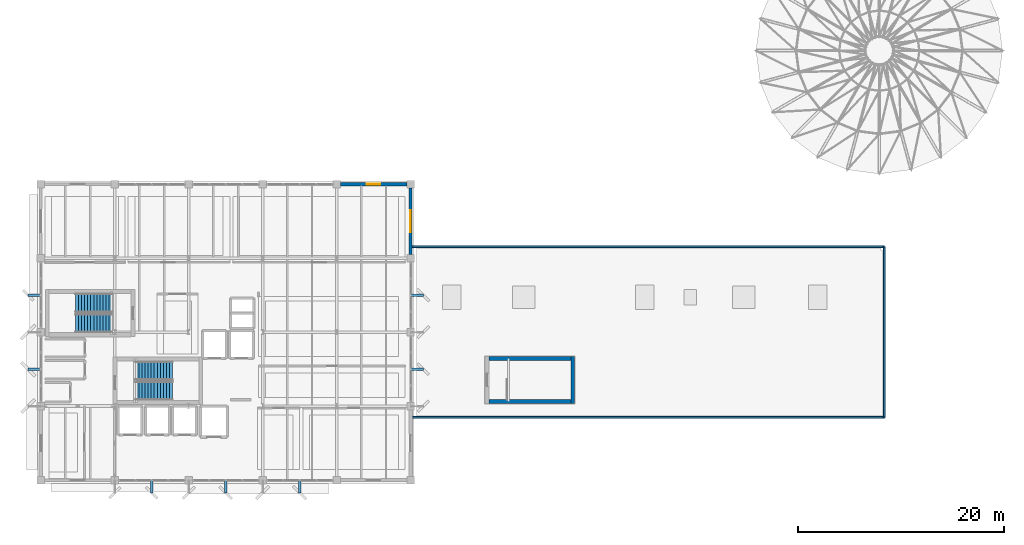
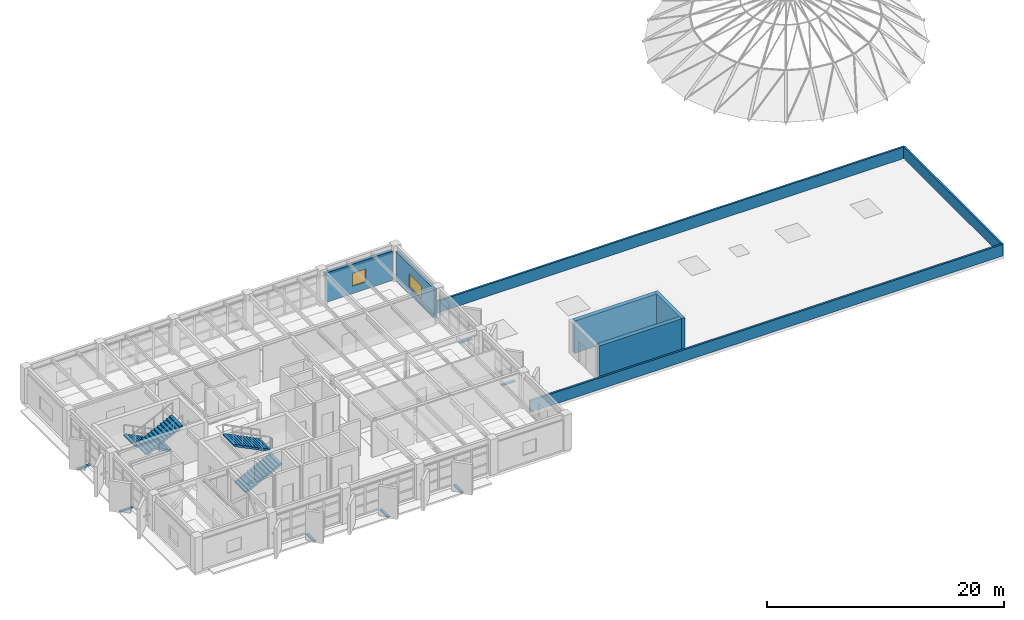
# One storey, part 24 of 32: 8 walls, 7 discrete accessories, 4 stair flights, 2 windows, 2 openings, 2 elements without a shape of their own.
"""IFC4 building model written with IfcOpenShell, lengths in metres."""

from ifc_helpers import new_model, si_unit, direction, frame, frame_2d, origin, origin_2d, place, context, subcontext, project, spatial, polyline, rectangle, outline, extrude, material, layer, layer_set, type_object, element, fill, aggregate, save


model = new_model("IFC4")

# Units and contexts
model_context = context("Model", 3, precision=1e-05, world=origin(), true_north=direction((0.0, 1.0)))
body_context = subcontext(model_context, "Body", "Model", "MODEL_VIEW")
ifc_project = project(units=[si_unit("LENGTHUNIT", "METRE"), si_unit("AREAUNIT", "SQUARE_METRE"), si_unit("VOLUMEUNIT", "CUBIC_METRE"), si_unit("PLANEANGLEUNIT", "RADIAN"), si_unit("MASSUNIT", "GRAM", prefix="KILO")], contexts=[model_context])

# Site, building, storey
site_placement = place(None, origin())
site = spatial("IfcSite", under=ifc_project, at=site_placement, CompositionType="ELEMENT")
building_placement = place(site_placement, origin())
building = spatial("IfcBuilding", under=site, at=building_placement, Name="Kandorven Conservatory and Botanical Research Centre", CompositionType="ELEMENT")
storey_placement = place(building_placement, frame((0.0, 0.0, 17.10009765625)))
storey = spatial("IfcBuildingStorey", under=building, at=storey_placement, Name="L04", CompositionType="ELEMENT", Elevation=17.10009765625)

# Walls
ifc_material_1 = material(Name="Concrete C40/50 (M50)", Category="concrete")
ifc_layer_1 = layer(ifc_material_1, 0.39990234375)
ifc_layer_set_1 = layer_set([ifc_layer_1], Name="Concrete C40/50 (M50)")
wall_type_1 = type_object("IfcWallType", Name="Wall_CW-RC-1", PredefinedType="SHEAR", material=ifc_layer_set_1)
for number, where, z_axis, x_axis, name in (
    (1, (49.60009765625, 13.64501953125, 0.0), (0.0, 0.0, 1.0), (1.0, 0.0, 0.0), "Core stair shear wall CW-RC-1 ST-V3A L04 side A"),
    (2, (49.60009765625, 17.844970703125, 0.0), (0.0, 0.0, 1.0), (1.0, 0.0, 0.0), "Core stair shear wall CW-RC-1 ST-V3A L04 side B"),
):
    element("IfcWall", number, at=place(storey_placement, frame(where, z_axis=z_axis, x_axis=x_axis)), inside=storey, type_object=wall_type_1, Name=name, PredefinedType="SHEAR", context=body_context, shape_type="SweptSolid", body=[
        extrude(rectangle(XDim=7.97998046875, YDim=0.39990234375, at=frame_2d((3.989990234375, 0.0))), origin(), (0.0, 0.0, 1.0), 3.33984375),
    ])
ifc_material_2 = material(Name="Concrete C40/50 (M50)", Category="concrete")
ifc_layer_2 = layer(ifc_material_2, 0.35009765625)
ifc_layer_set_2 = layer_set([ifc_layer_2], Name="Concrete C40/50 (M50)")
wall_type_2 = type_object("IfcWallType", Name="Wall_CW-RC-2", PredefinedType="SHEAR", material=ifc_layer_set_2)
wall_1_placement = place(storey_placement, frame((57.7548828125, 13.449951171875, 0.0), z_axis=(0.0, 0.0, 1.0), x_axis=(0.0, 1.0, 0.0)))
element("IfcWall", 3, at=wall_1_placement, inside=storey, type_object=wall_type_2, Name="Core stair shear wall CW-RC-2 ST-V3A L04 far", PredefinedType="SHEAR", context=body_context, shape_type="SweptSolid", body=[
    extrude(rectangle(XDim=4.590087890625, YDim=0.35009765625, at=frame_2d((2.294921875, 0.0))), origin(), (0.0, 0.0, 1.0), 3.33984375),
])

# Wall, opening, window
ifc_material_3 = material(Name="Concrete C32/40 (M40)", Category="concrete")
ifc_layer_3 = layer(ifc_material_3, 0.300048828125)
ifc_layer_set_3 = layer_set([ifc_layer_3], Name="Concrete C32/40 (M40)")
wall_type_3 = type_object("IfcWallType", Name="Wall_EW-04", PredefinedType="STANDARD", material=ifc_layer_set_3)
wall_2_placement = place(storey_placement, frame((35.175048828125, 34.800048828125, 0.0), z_axis=(0.0, 0.0, 1.0), x_axis=(1.0, 0.0, 0.0)))
wall_2 = element("IfcWall", 4, at=wall_2_placement, inside=storey, type_object=wall_type_3, Name="Tower concrete facade wall EW-04 N L04", PredefinedType="STANDARD", context=body_context, shape_type="SweptSolid", body=[
    extrude(rectangle(XDim=6.449951171875, YDim=0.300048828125, at=frame_2d((3.22509765625, 0.0))), origin(), (0.0, 0.0, 1.0), 3.039794921875),
])
opening_1_placement = place(wall_2_placement, frame((2.574951171875, 0.0, 0.75)))
opening_1 = element("IfcOpeningElement", 5, at=opening_1_placement, cuts=wall_2, Name="Opening W-32", PredefinedType="OPENING", context=body_context, shape_type="SweptSolid", body=[
    extrude(rectangle(XDim=1.300048828125, YDim=1.35009765625, at=frame_2d((0.64990234375, 0.675048828125))), frame((0.0, 0.159912109375, 0.0), z_axis=(0.0, -1.0, 0.0), x_axis=(1.0, 0.0, 0.0)), (0.0, 0.0, 1.0), 0.320068359375),
])
ifc_material_4 = material(Name="Double-glazed solar-control low-E glass", Category="glass")
window_type_1 = type_object("IfcWindowType", Name="Win_W-32", PartitioningType="DOUBLE_PANEL_VERTICAL", PredefinedType="WINDOW", material=ifc_material_4)
window_1_placement = place(opening_1_placement, origin())
window_1 = element("IfcWindow", 6, at=window_1_placement, inside=storey, type_object=window_type_1, Name="Tower recessed solar window W-32", OverallHeight=1.35009765625, OverallWidth=1.300048828125, PartitioningType="SINGLE_PANEL", PredefinedType="WINDOW", context=body_context, shape_type="SweptSolid", body=[
    extrude(rectangle(XDim=1.300048828125, YDim=1.35009765625, at=frame_2d((0.64990234375, 0.675048828125))), frame((0.0, 0.030029296875, 0.0), z_axis=(0.0, -1.0, 0.0), x_axis=(1.0, 0.0, 0.0)), (0.0, 0.0, 1.0), 0.06005859375),
])
fill(opening_1, window_1)

ifc_material_5 = material(Name="Concrete C32/40 (M40)", Category="concrete")
ifc_layer_4 = layer(ifc_material_5, 0.280029296875)
ifc_layer_set_4 = layer_set([ifc_layer_4], Name="Concrete C32/40 (M40)")
wall_type_4 = type_object("IfcWallType", Name="Wall_EW-05", PredefinedType="STANDARD", material=ifc_layer_set_4)
wall_3_placement = place(storey_placement, frame((42.0, 27.97509765625, 0.0), z_axis=(0.0, 0.0, 1.0), x_axis=(0.0, 1.0, 0.0)))
wall_3 = element("IfcWall", 7, at=wall_3_placement, inside=storey, type_object=wall_type_4, Name="Tower concrete facade wall EW-05 E L04", PredefinedType="STANDARD", context=body_context, shape_type="SweptSolid", body=[
    extrude(rectangle(XDim=6.449951171875, YDim=0.280029296875, at=frame_2d((3.22509765625, 0.0))), origin(), (0.0, 0.0, 1.0), 3.039794921875),
])
opening_2_placement = place(wall_3_placement, frame((2.14990234375, 0.0, 0.75)))
opening_2 = element("IfcOpeningElement", 8, at=opening_2_placement, cuts=wall_3, Name="Opening W-36", PredefinedType="OPENING", context=body_context, shape_type="SweptSolid", body=[
    extrude(rectangle(XDim=2.14990234375, YDim=1.35009765625, at=frame_2d((1.074951171875, 0.675048828125))), frame((0.0, 0.14990234375, 0.0), z_axis=(0.0, -1.0, 0.0), x_axis=(1.0, 0.0, 0.0)), (0.0, 0.0, 1.0), 0.300048828125),
])
ifc_material_6 = material(Name="Double-glazed solar-control low-E glass", Category="glass")
window_type_2 = type_object("IfcWindowType", Name="Win_W-36", PartitioningType="DOUBLE_PANEL_VERTICAL", PredefinedType="WINDOW", material=ifc_material_6)
window_2_placement = place(opening_2_placement, origin())
window_2 = element("IfcWindow", 9, at=window_2_placement, inside=storey, type_object=window_type_2, Name="Tower recessed solar window W-36", OverallHeight=1.35009765625, OverallWidth=2.14990234375, PartitioningType="SINGLE_PANEL", PredefinedType="WINDOW", context=body_context, shape_type="SweptSolid", body=[
    extrude(rectangle(XDim=2.14990234375, YDim=1.35009765625, at=frame_2d((1.074951171875, 0.675048828125))), frame((0.0, 0.030029296875, 0.0), z_axis=(0.0, -1.0, 0.0), x_axis=(1.0, 0.0, 0.0)), (0.0, 0.0, 1.0), 0.06005859375),
])
fill(opening_2, window_2)

# Walls
ifc_material_7 = material(Name="Concrete C32/40 (M40)", Category="concrete")
ifc_layer_5 = layer(ifc_material_7, 0.18994140625)
ifc_layer_set_5 = layer_set([ifc_layer_5], Name="Concrete C32/40 (M40)")
wall_type_5 = type_object("IfcWallType", Name="Wall_PW-03", PredefinedType="PARAPET", material=ifc_layer_set_5)
wall_4_placement = place(storey_placement, frame((42.0, 12.10009765625, 0.0), z_axis=(0.0, 0.0, 1.0), x_axis=(1.0, 0.0, 0.0)))
element("IfcWall", 10, at=wall_4_placement, inside=storey, type_object=wall_type_5, Name="Visitor wing roof parapet wall PW-03 S", PredefinedType="PARAPET", context=body_context, shape_type="SweptSolid", body=[
    extrude(rectangle(XDim=46.10009765625, YDim=0.18994140625, at=frame_2d((23.050048828125, 0.0))), origin(), (0.0, 0.0, 1.0), 1.199951171875),
])
wall_5_placement = place(storey_placement, frame((88.10009765625, 12.10009765625, 0.0), z_axis=(0.0, 0.0, 1.0), x_axis=(0.0, 1.0, 0.0)))
element("IfcWall", 11, at=wall_5_placement, inside=storey, type_object=wall_type_5, Name="Visitor wing roof parapet wall PW-03 E", PredefinedType="PARAPET", context=body_context, shape_type="SweptSolid", body=[
    extrude(rectangle(XDim=16.599853515625, YDim=0.18994140625, at=frame_2d((8.2998046875, 0.0))), origin(), (0.0, 0.0, 1.0), 1.199951171875),
])
wall_6_placement = place(storey_placement, frame((88.10009765625, 28.699951171875, 0.0), z_axis=(0.0, 0.0, 1.0), x_axis=(-1.0, 0.0, 0.0)))
element("IfcWall", 12, at=wall_6_placement, inside=storey, type_object=wall_type_5, Name="Visitor wing roof parapet wall PW-03 N", PredefinedType="PARAPET", context=body_context, shape_type="SweptSolid", body=[
    extrude(rectangle(XDim=46.10009765625, YDim=0.18994140625, at=frame_2d((23.050048828125, 0.0))), origin(), (0.0, 0.0, 1.0), 1.199951171875),
])

# Stair, stair flights
ifc_material_8 = material(Name="Concrete C32/40 (M40)", Category="concrete")
stair_type = type_object("IfcStairType", Name="Stair_1820", PredefinedType="HALF_TURN_STAIR", material=ifc_material_8)
stair_1_placement = place(storey_placement, origin())
stair_1 = element("IfcStair", 13, at=stair_1_placement, inside=storey, type_object=stair_type, Name="L04 Tower Fire Stair ST-T1", PredefinedType="HALF_TURN_STAIR")
ifc_material_9 = material(Name="Concrete C32/40 (M40)", Category="concrete")
ifc_layer_6 = layer(ifc_material_9, 0.14990234375)
ifc_layer_set_6 = layer_set([ifc_layer_6], Name="Concrete C32/40 (M40)")
stair_flight_type = type_object("IfcStairFlightType", Name="Flight_1820", PredefinedType="STRAIGHT", material=ifc_layer_set_6)
stair_flight_1_placement = place(storey_placement, frame((15.239990234375, 14.68994140625, 0.0), z_axis=(0.0, 0.0, 1.0), x_axis=(1.0, 0.0, 0.0)))
stair_flight_1 = element("IfcStairFlight", 14, at=stair_flight_1_placement, type_object=stair_flight_type, Name="ST-T1 flight 1", NumberOfRisers=13, NumberOfTreads=12, PredefinedType="STRAIGHT", RiserHeight=0.15, TreadLength=0.3, context=body_context, shape_type="SweptSolid", body=[
    extrude(outline(polyline([(0.0, 0.0), (0.0, 0.14990234375), (0.300048828125, 0.14990234375), (0.300048828125, 0.300048828125), (0.60009765625, 0.300048828125), (0.60009765625, 0.449951171875), (0.89990234375, 0.449951171875), (0.89990234375, 0.60009765625), (1.199951171875, 0.60009765625), (1.199951171875, 0.75), (1.5, 0.75), (1.5, 0.89990234375), (1.800048828125, 0.89990234375), (1.800048828125, 1.050048828125), (2.10009765625, 1.050048828125), (2.10009765625, 1.199951171875), (2.39990234375, 1.199951171875), (2.39990234375, 1.35009765625), (2.699951171875, 1.35009765625), (2.699951171875, 1.5), (3.0, 1.5), (3.0, 1.64990234375), (3.300048828125, 1.64990234375), (3.300048828125, 1.800048828125), (3.60009765625, 1.800048828125), (3.60009765625, 1.949951171875), (3.60009765625, 1.63232421875), (0.335205078125, 0.0), (0.0, 0.0)])), frame((0.0, 0.91015625, 0.0), z_axis=(0.0, -1.0, 0.0), x_axis=(1.0, 0.0, 0.0)), (0.0, 0.0, 1.0), 1.820068359375),
])
stair_flight_2_placement = place(storey_placement, frame((18.839599609375, 16.659912109375, 1.949951171875), z_axis=(0.0, 0.0, 1.0), x_axis=(-1.0, 0.0, 0.0)))
stair_flight_2 = element("IfcStairFlight", 15, at=stair_flight_2_placement, type_object=stair_flight_type, Name="ST-T1 flight 2", NumberOfRisers=13, NumberOfTreads=12, PredefinedType="STRAIGHT", RiserHeight=0.15, TreadLength=0.3, context=body_context, shape_type="SweptSolid", body=[
    extrude(outline(polyline([(0.0, 0.0), (0.0, 0.14990234375), (0.300048828125, 0.14990234375), (0.300048828125, 0.300048828125), (0.60009765625, 0.300048828125), (0.60009765625, 0.449951171875), (0.89990234375, 0.449951171875), (0.89990234375, 0.60009765625), (1.199951171875, 0.60009765625), (1.199951171875, 0.75), (1.5, 0.75), (1.5, 0.89990234375), (1.800048828125, 0.89990234375), (1.800048828125, 1.050048828125), (2.10009765625, 1.050048828125), (2.10009765625, 1.199951171875), (2.39990234375, 1.199951171875), (2.39990234375, 1.35009765625), (2.699951171875, 1.35009765625), (2.699951171875, 1.5), (3.0, 1.5), (3.0, 1.64990234375), (3.300048828125, 1.64990234375), (3.300048828125, 1.800048828125), (3.60009765625, 1.800048828125), (3.60009765625, 1.949951171875), (3.60009765625, 1.63232421875), (0.335205078125, 0.0), (0.0, 0.0)])), frame((0.0, 0.91015625, 0.0), z_axis=(0.0, -1.0, 0.0), x_axis=(1.0, 0.0, 0.0)), (0.0, 0.0, 1.0), 1.820068359375),
])
aggregate(stair_1, [stair_flight_1, stair_flight_2])

stair_2_placement = place(storey_placement, origin())
stair_2 = element("IfcStair", 16, at=stair_2_placement, inside=storey, type_object=stair_type, Name="L04 Tower Fire Stair ST-T2", PredefinedType="HALF_TURN_STAIR")
stair_flight_3_placement = place(storey_placement, frame((12.9599609375, 23.239990234375, 0.0), z_axis=(0.0, 0.0, 1.0), x_axis=(-1.0, 0.0, 0.0)))
stair_flight_3 = element("IfcStairFlight", 17, at=stair_flight_3_placement, type_object=stair_flight_type, Name="ST-T2 flight 1", NumberOfRisers=13, NumberOfTreads=12, PredefinedType="STRAIGHT", RiserHeight=0.15, TreadLength=0.3, context=body_context, shape_type="SweptSolid", body=[
    extrude(outline(polyline([(0.0, 0.0), (0.0, 0.14990234375), (0.300048828125, 0.14990234375), (0.300048828125, 0.300048828125), (0.60009765625, 0.300048828125), (0.60009765625, 0.449951171875), (0.89990234375, 0.449951171875), (0.89990234375, 0.60009765625), (1.199951171875, 0.60009765625), (1.199951171875, 0.75), (1.5, 0.75), (1.5, 0.89990234375), (1.800048828125, 0.89990234375), (1.800048828125, 1.050048828125), (2.10009765625, 1.050048828125), (2.10009765625, 1.199951171875), (2.39990234375, 1.199951171875), (2.39990234375, 1.35009765625), (2.699951171875, 1.35009765625), (2.699951171875, 1.5), (3.0, 1.5), (3.0, 1.64990234375), (3.300048828125, 1.64990234375), (3.300048828125, 1.800048828125), (3.60009765625, 1.800048828125), (3.60009765625, 1.949951171875), (3.60009765625, 1.63232421875), (0.335205078125, 0.0), (0.0, 0.0)])), frame((0.0, 0.91015625, 0.0), z_axis=(0.0, -1.0, 0.0), x_axis=(1.0, 0.0, 0.0)), (0.0, 0.0, 1.0), 1.820068359375),
])
stair_flight_4_placement = place(storey_placement, frame((9.360595703125, 21.27001953125, 1.949951171875), z_axis=(0.0, 0.0, 1.0), x_axis=(1.0, 0.0, 0.0)))
stair_flight_4 = element("IfcStairFlight", 18, at=stair_flight_4_placement, type_object=stair_flight_type, Name="ST-T2 flight 2", NumberOfRisers=13, NumberOfTreads=12, PredefinedType="STRAIGHT", RiserHeight=0.15, TreadLength=0.3, context=body_context, shape_type="SweptSolid", body=[
    extrude(outline(polyline([(0.0, 0.0), (0.0, 0.14990234375), (0.300048828125, 0.14990234375), (0.300048828125, 0.300048828125), (0.60009765625, 0.300048828125), (0.60009765625, 0.449951171875), (0.89990234375, 0.449951171875), (0.89990234375, 0.60009765625), (1.199951171875, 0.60009765625), (1.199951171875, 0.75), (1.5, 0.75), (1.5, 0.89990234375), (1.800048828125, 0.89990234375), (1.800048828125, 1.050048828125), (2.10009765625, 1.050048828125), (2.10009765625, 1.199951171875), (2.39990234375, 1.199951171875), (2.39990234375, 1.35009765625), (2.699951171875, 1.35009765625), (2.699951171875, 1.5), (3.0, 1.5), (3.0, 1.64990234375), (3.300048828125, 1.64990234375), (3.300048828125, 1.800048828125), (3.60009765625, 1.800048828125), (3.60009765625, 1.949951171875), (3.60009765625, 1.63232421875), (0.335205078125, 0.0), (0.0, 0.0)])), frame((0.0, 0.91015625, 0.0), z_axis=(0.0, -1.0, 0.0), x_axis=(1.0, 0.0, 0.0)), (0.0, 0.0, 1.0), 1.820068359375),
])
aggregate(stair_2, [stair_flight_3, stair_flight_4])

# Discrete accessories
ifc_material_10 = material(Name="Steel S355 (IS 2062 E350)", Category="steel")
discrete_accessory_type = type_object("IfcDiscreteAccessoryType", Name="JaliBracket", PredefinedType="BRACKET", material=ifc_material_10)
for number, where, z_axis, x_axis, name in (
    (19, (16.800048828125, 5.389892578125, -0.1298828125), (0.0, 0.0, 1.0), (1.0, 0.0, 0.0), "Stainless steel fin support bracket BRK-01 #32"),
    (20, (24.0, 5.389892578125, -0.1298828125), (0.0, 0.0, 1.0), (1.0, 0.0, 0.0), "Stainless steel fin support bracket BRK-01 #34"),
    (21, (31.199951171875, 5.389892578125, -0.1298828125), (0.0, 0.0, 1.0), (1.0, 0.0, 0.0), "Stainless steel fin support bracket BRK-01 #36"),
):
    element("IfcDiscreteAccessory", number, at=place(storey_placement, frame(where, z_axis=z_axis, x_axis=x_axis)), inside=storey, type_object=discrete_accessory_type, Name=name, PredefinedType="BRACKET", context=body_context, shape_type="SweptSolid", body=[
        extrude(rectangle(XDim=0.239990234375, YDim=1.280029296875, at=origin_2d()), origin(), (0.0, 0.0, 1.0), 0.139892578125),
    ])
for number, where, z_axis, x_axis, name in (
    (22, (5.389892578125, 16.800048828125, -0.1298828125), (0.0, 0.0, 1.0), (1.0, 0.0, 0.0), "Stainless steel fin support bracket BRK-01 #38"),
    (23, (5.389892578125, 24.0, -0.1298828125), (0.0, 0.0, 1.0), (1.0, 0.0, 0.0), "Stainless steel fin support bracket BRK-01 #40"),
    (24, (42.610107421875, 16.800048828125, -0.1298828125), (0.0, 0.0, 1.0), (1.0, 0.0, 0.0), "Stainless steel fin support bracket BRK-01 #42"),
    (25, (42.610107421875, 24.0, -0.1298828125), (0.0, 0.0, 1.0), (1.0, 0.0, 0.0), "Stainless steel fin support bracket BRK-01 #44"),
):
    element("IfcDiscreteAccessory", number, at=place(storey_placement, frame(where, z_axis=z_axis, x_axis=x_axis)), inside=storey, type_object=discrete_accessory_type, Name=name, PredefinedType="BRACKET", context=body_context, shape_type="SweptSolid", body=[
        extrude(rectangle(XDim=1.280029296875, YDim=0.239990234375, at=origin_2d()), origin(), (0.0, 0.0, 1.0), 0.139892578125),
    ])

save(model, "model.ifc")
